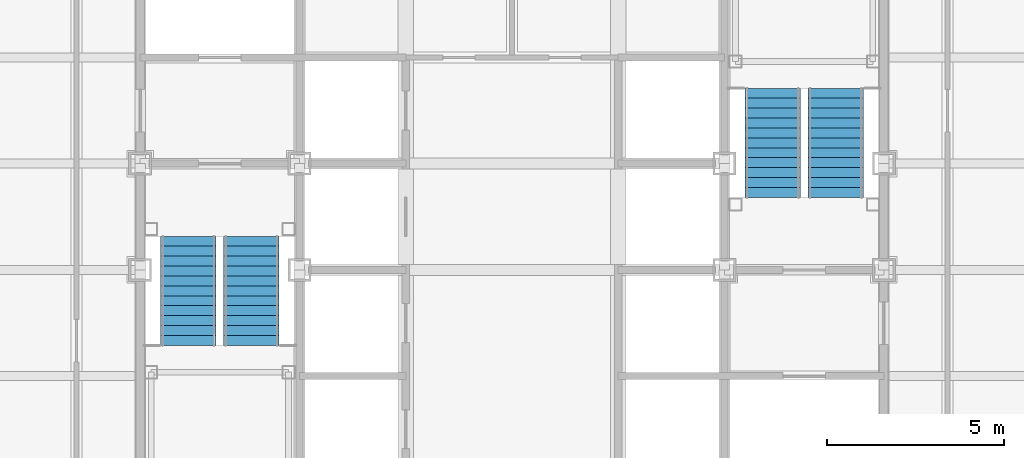
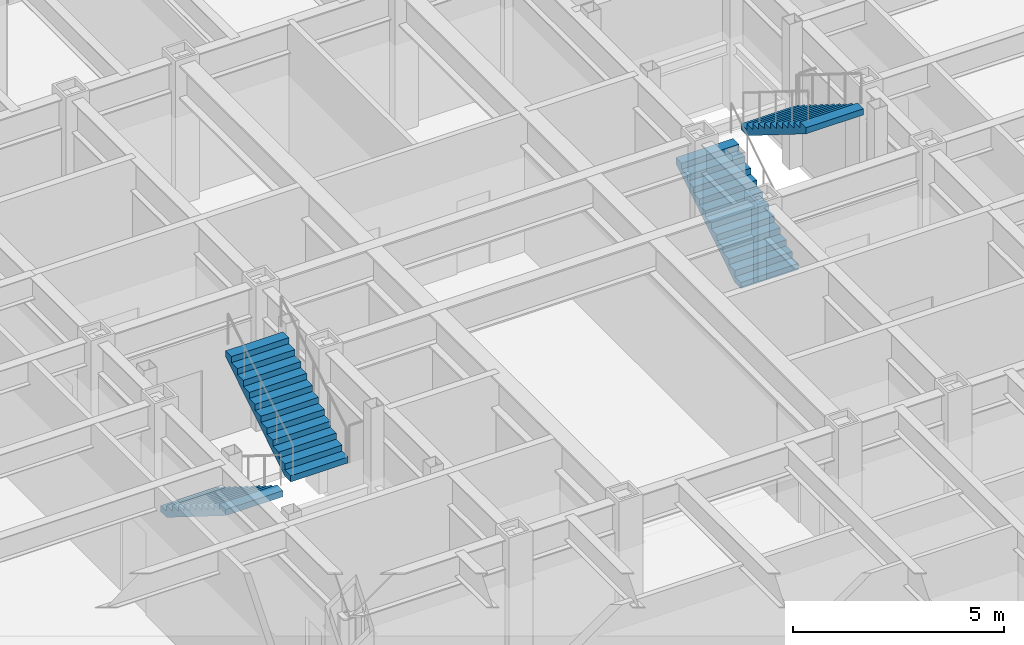
# One storey, part 13 of 16: 4 stair flights, 2 elements without a shape of their own.
"""IFC4 building model written with IfcOpenShell, lengths in metres."""

from ifc_helpers import new_model, si_unit, direction, frame, origin, place, context, subcontext, project, spatial, faceted_brep, material, type_object, element, aggregate, save


model = new_model("IFC4")

# Units and contexts
model_context = context("Model", 3, precision=1e-05, world=origin(), true_north=direction((0.0, 1.0)))
body_context = subcontext(model_context, "Body", "Model", "MODEL_VIEW")
ifc_project = project(units=[si_unit("LENGTHUNIT", "METRE"), si_unit("AREAUNIT", "SQUARE_METRE"), si_unit("VOLUMEUNIT", "CUBIC_METRE"), si_unit("PLANEANGLEUNIT", "RADIAN"), si_unit("MASSUNIT", "GRAM", prefix="KILO")], contexts=[model_context])

# Site, building, storey
site_placement = place(None, origin())
site = spatial("IfcSite", under=ifc_project, at=site_placement, CompositionType="ELEMENT")
building_placement = place(site_placement, origin())
building = spatial("IfcBuilding", under=site, at=building_placement, Name="Chuquiago Exchange Tower", CompositionType="ELEMENT")
storey_placement = place(building_placement, frame((0.0, 0.0, 161.39990234375)))
storey = spatial("IfcBuildingStorey", under=building, at=storey_placement, Name="L35", CompositionType="ELEMENT", Elevation=161.39990234375)

# Stair, stair flights
ifc_material_1 = material(Name="Concrete C30/37, precast", Category="concrete")
stair_type_1 = type_object("IfcStairType", Name="ST1 half-turn stair 4200", PredefinedType="HALF_TURN_STAIR", material=ifc_material_1)
stair_1_placement = place(storey_placement, origin())
stair_1 = element("IfcStair", 1, at=stair_1_placement, inside=storey, type_object=stair_type_1, Name="Stair ST1 L35", PredefinedType="HALF_TURN_STAIR")
ifc_material_2 = material(Name="Concrete C30/37, precast", Category="concrete")
stair_flight_type = type_object("IfcStairFlightType", Name="ST-F flight 1570 for 4200 storey", PredefinedType="STRAIGHT", material=ifc_material_2)
stair_flight_1_placement = place(storey_placement, frame((13.360107421875, 21.949951171875, 0.0), z_axis=(0.0, 0.0, 1.0), x_axis=(0.0, -1.0, 0.0)))
stair_flight_1 = element("IfcStairFlight", 2, at=stair_flight_1_placement, type_object=stair_flight_type, Name="ST1 flight 1", NumberOfRisers=12, NumberOfTreads=11, PredefinedType="STRAIGHT", RiserHeight=0.175, TreadLength=0.28, context=body_context, shape_type="Brep", body=[
    faceted_brep([(0.0, 0.78515625, 0.0), (0.0, 0.78515625, 0.175048828125), (0.280029296875, 0.78515625, 0.175048828125), (0.280029296875, 0.78515625, 0.35009765625), (0.56005859375, 0.78515625, 0.35009765625), (0.56005859375, 0.78515625, 0.52490234375), (0.840087890625, 0.78515625, 0.52490234375), (0.840087890625, 0.78515625, 0.699951171875), (1.1201171875, 0.78515625, 0.699951171875), (1.1201171875, 0.78515625, 0.875), (1.39990234375, 0.78515625, 0.875), (1.39990234375, 0.78515625, 1.050048828125), (1.679931640625, 0.78515625, 1.050048828125), (1.679931640625, 0.78515625, 1.22509765625), (1.9599609375, 0.78515625, 1.22509765625), (1.9599609375, 0.78515625, 1.39990234375), (2.239990234375, 0.78515625, 1.39990234375), (2.239990234375, 0.78515625, 1.574951171875), (2.52001953125, 0.78515625, 1.574951171875), (2.52001953125, 0.78515625, 1.75), (2.800048828125, 0.78515625, 1.75), (2.800048828125, 0.78515625, 1.925048828125), (3.080078125, 0.78515625, 1.925048828125), (3.080078125, 0.78515625, 1.748291015625), (0.28271484375, 0.78515625, 0.0), (0.28271484375, -0.78515625, 0.0), (3.080078125, -0.78515625, 1.748291015625), (3.080078125, -0.78515625, 1.925048828125), (2.800048828125, -0.78515625, 1.925048828125), (2.800048828125, -0.78515625, 1.75), (2.52001953125, -0.78515625, 1.75), (2.52001953125, -0.78515625, 1.574951171875), (2.239990234375, -0.78515625, 1.574951171875), (2.239990234375, -0.78515625, 1.39990234375), (1.9599609375, -0.78515625, 1.39990234375), (1.9599609375, -0.78515625, 1.22509765625), (1.679931640625, -0.78515625, 1.22509765625), (1.679931640625, -0.78515625, 1.050048828125), (1.39990234375, -0.78515625, 1.050048828125), (1.39990234375, -0.78515625, 0.875), (1.1201171875, -0.78515625, 0.875), (1.1201171875, -0.78515625, 0.699951171875), (0.840087890625, -0.78515625, 0.699951171875), (0.840087890625, -0.78515625, 0.52490234375), (0.56005859375, -0.78515625, 0.52490234375), (0.56005859375, -0.78515625, 0.35009765625), (0.280029296875, -0.78515625, 0.35009765625), (0.280029296875, -0.78515625, 0.175048828125), (0.0, -0.78515625, 0.175048828125), (0.0, -0.78515625, 0.0), (0.0, 0.392578125, 0.0), (0.0, 0.392578125, 0.175048828125), (0.0, 0.0, 0.0), (0.0, 0.0, 0.175048828125), (0.0, -0.392578125, 0.0), (0.0, -0.392578125, 0.175048828125), (0.280029296875, 0.392578125, 0.175048828125), (0.280029296875, 0.0, 0.175048828125), (0.280029296875, -0.392578125, 0.175048828125), (0.280029296875, 0.392578125, 0.35009765625), (0.280029296875, 0.0, 0.35009765625), (0.280029296875, -0.392578125, 0.35009765625), (0.56005859375, 0.392578125, 0.35009765625), (0.56005859375, 0.0, 0.35009765625), (0.56005859375, -0.392578125, 0.35009765625), (0.56005859375, 0.392578125, 0.52490234375), (0.56005859375, 0.0, 0.52490234375), (0.56005859375, -0.392578125, 0.52490234375), (0.840087890625, 0.392578125, 0.52490234375), (0.840087890625, 0.0, 0.52490234375), (0.840087890625, -0.392578125, 0.52490234375), (0.840087890625, 0.392578125, 0.699951171875), (0.840087890625, 0.0, 0.699951171875), (0.840087890625, -0.392578125, 0.699951171875), (1.1201171875, 0.392578125, 0.699951171875), (1.1201171875, 0.0, 0.699951171875), (1.1201171875, -0.392578125, 0.699951171875), (1.1201171875, 0.392578125, 0.875), (1.1201171875, 0.0, 0.875), (1.1201171875, -0.392578125, 0.875), (1.39990234375, 0.392578125, 0.875), (1.39990234375, 0.0, 0.875), (1.39990234375, -0.392578125, 0.875), (1.39990234375, 0.392578125, 1.050048828125), (1.39990234375, 0.0, 1.050048828125), (1.39990234375, -0.392578125, 1.050048828125), (1.679931640625, 0.392578125, 1.050048828125), (1.679931640625, 0.0, 1.050048828125), (1.679931640625, -0.392578125, 1.050048828125), (1.679931640625, 0.392578125, 1.22509765625), (1.679931640625, 0.0, 1.22509765625), (1.679931640625, -0.392578125, 1.22509765625), (1.9599609375, 0.392578125, 1.22509765625), (1.9599609375, 0.0, 1.22509765625), (1.9599609375, -0.392578125, 1.22509765625), (1.9599609375, 0.392578125, 1.39990234375), (1.9599609375, 0.0, 1.39990234375), (1.9599609375, -0.392578125, 1.39990234375), (2.239990234375, 0.392578125, 1.39990234375), (2.239990234375, 0.0, 1.39990234375), (2.239990234375, -0.392578125, 1.39990234375), (2.239990234375, 0.392578125, 1.574951171875), (2.239990234375, 0.0, 1.574951171875), (2.239990234375, -0.392578125, 1.574951171875), (2.52001953125, 0.392578125, 1.574951171875), (2.52001953125, 0.0, 1.574951171875), (2.52001953125, -0.392578125, 1.574951171875), (2.52001953125, 0.392578125, 1.75), (2.52001953125, 0.0, 1.75), (2.52001953125, -0.392578125, 1.75), (2.800048828125, 0.392578125, 1.75), (2.800048828125, 0.0, 1.75), (2.800048828125, -0.392578125, 1.75), (2.800048828125, 0.392578125, 1.925048828125), (2.800048828125, 0.0, 1.925048828125), (2.800048828125, -0.392578125, 1.925048828125), (3.080078125, 0.392578125, 1.925048828125), (3.080078125, 0.0, 1.925048828125), (3.080078125, -0.392578125, 1.925048828125), (3.080078125, 0.392578125, 1.748291015625), (3.080078125, 0.0, 1.748291015625), (3.080078125, -0.392578125, 1.748291015625), (0.28271484375, 0.392578125, 0.0), (0.28271484375, 0.0, 0.0), (0.28271484375, -0.392578125, 0.0)], [[[0, 1, 2, 3, 4, 5, 6, 7, 8, 9, 10, 11, 12, 13, 14, 15, 16, 17, 18, 19, 20, 21, 22, 23, 24]], [[25, 26, 27, 28, 29, 30, 31, 32, 33, 34, 35, 36, 37, 38, 39, 40, 41, 42, 43, 44, 45, 46, 47, 48, 49]], [[1, 0, 50, 51]], [[51, 50, 52, 53]], [[53, 52, 54, 55]], [[55, 54, 49, 48]], [[2, 1, 51, 56]], [[56, 51, 53, 57]], [[57, 53, 55, 58]], [[58, 55, 48, 47]], [[3, 2, 56, 59]], [[59, 56, 57, 60]], [[60, 57, 58, 61]], [[61, 58, 47, 46]], [[4, 3, 59, 62]], [[62, 59, 60, 63]], [[63, 60, 61, 64]], [[64, 61, 46, 45]], [[5, 4, 62, 65]], [[65, 62, 63, 66]], [[66, 63, 64, 67]], [[67, 64, 45, 44]], [[6, 5, 65, 68]], [[68, 65, 66, 69]], [[69, 66, 67, 70]], [[70, 67, 44, 43]], [[7, 6, 68, 71]], [[71, 68, 69, 72]], [[72, 69, 70, 73]], [[73, 70, 43, 42]], [[8, 7, 71, 74]], [[74, 71, 72, 75]], [[75, 72, 73, 76]], [[76, 73, 42, 41]], [[9, 8, 74, 77]], [[77, 74, 75, 78]], [[78, 75, 76, 79]], [[79, 76, 41, 40]], [[10, 9, 77, 80]], [[80, 77, 78, 81]], [[81, 78, 79, 82]], [[82, 79, 40, 39]], [[11, 10, 80, 83]], [[83, 80, 81, 84]], [[84, 81, 82, 85]], [[85, 82, 39, 38]], [[12, 11, 83, 86]], [[86, 83, 84, 87]], [[87, 84, 85, 88]], [[88, 85, 38, 37]], [[13, 12, 86, 89]], [[89, 86, 87, 90]], [[90, 87, 88, 91]], [[91, 88, 37, 36]], [[14, 13, 89, 92]], [[92, 89, 90, 93]], [[93, 90, 91, 94]], [[94, 91, 36, 35]], [[15, 14, 92, 95]], [[95, 92, 93, 96]], [[96, 93, 94, 97]], [[97, 94, 35, 34]], [[16, 15, 95, 98]], [[98, 95, 96, 99]], [[99, 96, 97, 100]], [[100, 97, 34, 33]], [[17, 16, 98, 101]], [[101, 98, 99, 102]], [[102, 99, 100, 103]], [[103, 100, 33, 32]], [[18, 17, 101, 104]], [[104, 101, 102, 105]], [[105, 102, 103, 106]], [[106, 103, 32, 31]], [[19, 18, 104, 107]], [[107, 104, 105, 108]], [[108, 105, 106, 109]], [[109, 106, 31, 30]], [[20, 19, 107, 110]], [[110, 107, 108, 111]], [[111, 108, 109, 112]], [[112, 109, 30, 29]], [[21, 20, 110, 113]], [[113, 110, 111, 114]], [[114, 111, 112, 115]], [[115, 112, 29, 28]], [[22, 21, 113, 116]], [[116, 113, 114, 117]], [[117, 114, 115, 118]], [[118, 115, 28, 27]], [[23, 22, 116, 119]], [[119, 116, 117, 120]], [[120, 117, 118, 121]], [[121, 118, 27, 26]], [[24, 23, 119, 122]], [[122, 119, 120, 123]], [[123, 120, 121, 124]], [[124, 121, 26, 25]], [[0, 24, 122, 50]], [[50, 122, 123, 52]], [[52, 123, 124, 54]], [[54, 124, 25, 49]]]),
])
stair_flight_2_placement = place(storey_placement, frame((15.139892578125, 18.8701171875, 2.10009765625), z_axis=(0.0, 0.0, 1.0), x_axis=(0.0, 1.0, 0.0)))
stair_flight_2 = element("IfcStairFlight", 3, at=stair_flight_2_placement, type_object=stair_flight_type, Name="ST1 flight 2", NumberOfRisers=12, NumberOfTreads=11, PredefinedType="STRAIGHT", RiserHeight=0.175, TreadLength=0.28, context=body_context, shape_type="Brep", body=[
    faceted_brep([(0.0, 0.78515625, 0.0), (0.0, 0.78515625, 0.175048828125), (0.280029296875, 0.78515625, 0.175048828125), (0.280029296875, 0.78515625, 0.35009765625), (0.56005859375, 0.78515625, 0.35009765625), (0.56005859375, 0.78515625, 0.52490234375), (0.840087890625, 0.78515625, 0.52490234375), (0.840087890625, 0.78515625, 0.699951171875), (1.1201171875, 0.78515625, 0.699951171875), (1.1201171875, 0.78515625, 0.875), (1.39990234375, 0.78515625, 0.875), (1.39990234375, 0.78515625, 1.050048828125), (1.679931640625, 0.78515625, 1.050048828125), (1.679931640625, 0.78515625, 1.22509765625), (1.9599609375, 0.78515625, 1.22509765625), (1.9599609375, 0.78515625, 1.39990234375), (2.239990234375, 0.78515625, 1.39990234375), (2.239990234375, 0.78515625, 1.574951171875), (2.52001953125, 0.78515625, 1.574951171875), (2.52001953125, 0.78515625, 1.75), (2.800048828125, 0.78515625, 1.75), (2.800048828125, 0.78515625, 1.925048828125), (3.080078125, 0.78515625, 1.925048828125), (3.080078125, 0.78515625, 1.748291015625), (0.28271484375, 0.78515625, 0.0), (0.28271484375, -0.78515625, 0.0), (3.080078125, -0.78515625, 1.748291015625), (3.080078125, -0.78515625, 1.925048828125), (2.800048828125, -0.78515625, 1.925048828125), (2.800048828125, -0.78515625, 1.75), (2.52001953125, -0.78515625, 1.75), (2.52001953125, -0.78515625, 1.574951171875), (2.239990234375, -0.78515625, 1.574951171875), (2.239990234375, -0.78515625, 1.39990234375), (1.9599609375, -0.78515625, 1.39990234375), (1.9599609375, -0.78515625, 1.22509765625), (1.679931640625, -0.78515625, 1.22509765625), (1.679931640625, -0.78515625, 1.050048828125), (1.39990234375, -0.78515625, 1.050048828125), (1.39990234375, -0.78515625, 0.875), (1.1201171875, -0.78515625, 0.875), (1.1201171875, -0.78515625, 0.699951171875), (0.840087890625, -0.78515625, 0.699951171875), (0.840087890625, -0.78515625, 0.52490234375), (0.56005859375, -0.78515625, 0.52490234375), (0.56005859375, -0.78515625, 0.35009765625), (0.280029296875, -0.78515625, 0.35009765625), (0.280029296875, -0.78515625, 0.175048828125), (0.0, -0.78515625, 0.175048828125), (0.0, -0.78515625, 0.0), (0.0, 0.392578125, 0.0), (0.0, 0.392578125, 0.175048828125), (0.0, 0.0, 0.0), (0.0, 0.0, 0.175048828125), (0.0, -0.392578125, 0.0), (0.0, -0.392578125, 0.175048828125), (0.280029296875, 0.392578125, 0.175048828125), (0.280029296875, 0.0, 0.175048828125), (0.280029296875, -0.392578125, 0.175048828125), (0.280029296875, 0.392578125, 0.35009765625), (0.280029296875, 0.0, 0.35009765625), (0.280029296875, -0.392578125, 0.35009765625), (0.56005859375, 0.392578125, 0.35009765625), (0.56005859375, 0.0, 0.35009765625), (0.56005859375, -0.392578125, 0.35009765625), (0.56005859375, 0.392578125, 0.52490234375), (0.56005859375, 0.0, 0.52490234375), (0.56005859375, -0.392578125, 0.52490234375), (0.840087890625, 0.392578125, 0.52490234375), (0.840087890625, 0.0, 0.52490234375), (0.840087890625, -0.392578125, 0.52490234375), (0.840087890625, 0.392578125, 0.699951171875), (0.840087890625, 0.0, 0.699951171875), (0.840087890625, -0.392578125, 0.699951171875), (1.1201171875, 0.392578125, 0.699951171875), (1.1201171875, 0.0, 0.699951171875), (1.1201171875, -0.392578125, 0.699951171875), (1.1201171875, 0.392578125, 0.875), (1.1201171875, 0.0, 0.875), (1.1201171875, -0.392578125, 0.875), (1.39990234375, 0.392578125, 0.875), (1.39990234375, 0.0, 0.875), (1.39990234375, -0.392578125, 0.875), (1.39990234375, 0.392578125, 1.050048828125), (1.39990234375, 0.0, 1.050048828125), (1.39990234375, -0.392578125, 1.050048828125), (1.679931640625, 0.392578125, 1.050048828125), (1.679931640625, 0.0, 1.050048828125), (1.679931640625, -0.392578125, 1.050048828125), (1.679931640625, 0.392578125, 1.22509765625), (1.679931640625, 0.0, 1.22509765625), (1.679931640625, -0.392578125, 1.22509765625), (1.9599609375, 0.392578125, 1.22509765625), (1.9599609375, 0.0, 1.22509765625), (1.9599609375, -0.392578125, 1.22509765625), (1.9599609375, 0.392578125, 1.39990234375), (1.9599609375, 0.0, 1.39990234375), (1.9599609375, -0.392578125, 1.39990234375), (2.239990234375, 0.392578125, 1.39990234375), (2.239990234375, 0.0, 1.39990234375), (2.239990234375, -0.392578125, 1.39990234375), (2.239990234375, 0.392578125, 1.574951171875), (2.239990234375, 0.0, 1.574951171875), (2.239990234375, -0.392578125, 1.574951171875), (2.52001953125, 0.392578125, 1.574951171875), (2.52001953125, 0.0, 1.574951171875), (2.52001953125, -0.392578125, 1.574951171875), (2.52001953125, 0.392578125, 1.75), (2.52001953125, 0.0, 1.75), (2.52001953125, -0.392578125, 1.75), (2.800048828125, 0.392578125, 1.75), (2.800048828125, 0.0, 1.75), (2.800048828125, -0.392578125, 1.75), (2.800048828125, 0.392578125, 1.925048828125), (2.800048828125, 0.0, 1.925048828125), (2.800048828125, -0.392578125, 1.925048828125), (3.080078125, 0.392578125, 1.925048828125), (3.080078125, 0.0, 1.925048828125), (3.080078125, -0.392578125, 1.925048828125), (3.080078125, 0.392578125, 1.748291015625), (3.080078125, 0.0, 1.748291015625), (3.080078125, -0.392578125, 1.748291015625), (0.28271484375, 0.392578125, 0.0), (0.28271484375, 0.0, 0.0), (0.28271484375, -0.392578125, 0.0)], [[[0, 1, 2, 3, 4, 5, 6, 7, 8, 9, 10, 11, 12, 13, 14, 15, 16, 17, 18, 19, 20, 21, 22, 23, 24]], [[25, 26, 27, 28, 29, 30, 31, 32, 33, 34, 35, 36, 37, 38, 39, 40, 41, 42, 43, 44, 45, 46, 47, 48, 49]], [[1, 0, 50, 51]], [[51, 50, 52, 53]], [[53, 52, 54, 55]], [[55, 54, 49, 48]], [[2, 1, 51, 56]], [[56, 51, 53, 57]], [[57, 53, 55, 58]], [[58, 55, 48, 47]], [[3, 2, 56, 59]], [[59, 56, 57, 60]], [[60, 57, 58, 61]], [[61, 58, 47, 46]], [[4, 3, 59, 62]], [[62, 59, 60, 63]], [[63, 60, 61, 64]], [[64, 61, 46, 45]], [[5, 4, 62, 65]], [[65, 62, 63, 66]], [[66, 63, 64, 67]], [[67, 64, 45, 44]], [[6, 5, 65, 68]], [[68, 65, 66, 69]], [[69, 66, 67, 70]], [[70, 67, 44, 43]], [[7, 6, 68, 71]], [[71, 68, 69, 72]], [[72, 69, 70, 73]], [[73, 70, 43, 42]], [[8, 7, 71, 74]], [[74, 71, 72, 75]], [[75, 72, 73, 76]], [[76, 73, 42, 41]], [[9, 8, 74, 77]], [[77, 74, 75, 78]], [[78, 75, 76, 79]], [[79, 76, 41, 40]], [[10, 9, 77, 80]], [[80, 77, 78, 81]], [[81, 78, 79, 82]], [[82, 79, 40, 39]], [[11, 10, 80, 83]], [[83, 80, 81, 84]], [[84, 81, 82, 85]], [[85, 82, 39, 38]], [[12, 11, 83, 86]], [[86, 83, 84, 87]], [[87, 84, 85, 88]], [[88, 85, 38, 37]], [[13, 12, 86, 89]], [[89, 86, 87, 90]], [[90, 87, 88, 91]], [[91, 88, 37, 36]], [[14, 13, 89, 92]], [[92, 89, 90, 93]], [[93, 90, 91, 94]], [[94, 91, 36, 35]], [[15, 14, 92, 95]], [[95, 92, 93, 96]], [[96, 93, 94, 97]], [[97, 94, 35, 34]], [[16, 15, 95, 98]], [[98, 95, 96, 99]], [[99, 96, 97, 100]], [[100, 97, 34, 33]], [[17, 16, 98, 101]], [[101, 98, 99, 102]], [[102, 99, 100, 103]], [[103, 100, 33, 32]], [[18, 17, 101, 104]], [[104, 101, 102, 105]], [[105, 102, 103, 106]], [[106, 103, 32, 31]], [[19, 18, 104, 107]], [[107, 104, 105, 108]], [[108, 105, 106, 109]], [[109, 106, 31, 30]], [[20, 19, 107, 110]], [[110, 107, 108, 111]], [[111, 108, 109, 112]], [[112, 109, 30, 29]], [[21, 20, 110, 113]], [[113, 110, 111, 114]], [[114, 111, 112, 115]], [[115, 112, 29, 28]], [[22, 21, 113, 116]], [[116, 113, 114, 117]], [[117, 114, 115, 118]], [[118, 115, 28, 27]], [[23, 22, 116, 119]], [[119, 116, 117, 120]], [[120, 117, 118, 121]], [[121, 118, 27, 26]], [[24, 23, 119, 122]], [[122, 119, 120, 123]], [[123, 120, 121, 124]], [[124, 121, 26, 25]], [[0, 24, 122, 50]], [[50, 122, 123, 52]], [[52, 123, 124, 54]], [[54, 124, 25, 49]]]),
])
aggregate(stair_1, [stair_flight_1, stair_flight_2])

ifc_material_3 = material(Name="Concrete C30/37, precast", Category="concrete")
stair_type_2 = type_object("IfcStairType", Name="ST2 half-turn stair 4200", PredefinedType="HALF_TURN_STAIR", material=ifc_material_3)
stair_2_placement = place(storey_placement, origin())
stair_2 = element("IfcStair", 4, at=stair_2_placement, inside=storey, type_object=stair_type_2, Name="Stair ST2 L35", PredefinedType="HALF_TURN_STAIR")
stair_flight_3_placement = place(storey_placement, frame((29.860107421875, 23.050048828125, 0.0), z_axis=(0.0, 0.0, 1.0), x_axis=(0.0, 1.0, 0.0)))
stair_flight_3 = element("IfcStairFlight", 5, at=stair_flight_3_placement, type_object=stair_flight_type, Name="ST2 flight 1", NumberOfRisers=12, NumberOfTreads=11, PredefinedType="STRAIGHT", RiserHeight=0.175, TreadLength=0.28, context=body_context, shape_type="Brep", body=[
    faceted_brep([(0.0, 0.78515625, 0.0), (0.0, 0.78515625, 0.175048828125), (0.280029296875, 0.78515625, 0.175048828125), (0.280029296875, 0.78515625, 0.35009765625), (0.56005859375, 0.78515625, 0.35009765625), (0.56005859375, 0.78515625, 0.52490234375), (0.840087890625, 0.78515625, 0.52490234375), (0.840087890625, 0.78515625, 0.699951171875), (1.1201171875, 0.78515625, 0.699951171875), (1.1201171875, 0.78515625, 0.875), (1.39990234375, 0.78515625, 0.875), (1.39990234375, 0.78515625, 1.050048828125), (1.679931640625, 0.78515625, 1.050048828125), (1.679931640625, 0.78515625, 1.22509765625), (1.9599609375, 0.78515625, 1.22509765625), (1.9599609375, 0.78515625, 1.39990234375), (2.239990234375, 0.78515625, 1.39990234375), (2.239990234375, 0.78515625, 1.574951171875), (2.52001953125, 0.78515625, 1.574951171875), (2.52001953125, 0.78515625, 1.75), (2.800048828125, 0.78515625, 1.75), (2.800048828125, 0.78515625, 1.925048828125), (3.080078125, 0.78515625, 1.925048828125), (3.080078125, 0.78515625, 1.748291015625), (0.28271484375, 0.78515625, 0.0), (0.28271484375, -0.78515625, 0.0), (3.080078125, -0.78515625, 1.748291015625), (3.080078125, -0.78515625, 1.925048828125), (2.800048828125, -0.78515625, 1.925048828125), (2.800048828125, -0.78515625, 1.75), (2.52001953125, -0.78515625, 1.75), (2.52001953125, -0.78515625, 1.574951171875), (2.239990234375, -0.78515625, 1.574951171875), (2.239990234375, -0.78515625, 1.39990234375), (1.9599609375, -0.78515625, 1.39990234375), (1.9599609375, -0.78515625, 1.22509765625), (1.679931640625, -0.78515625, 1.22509765625), (1.679931640625, -0.78515625, 1.050048828125), (1.39990234375, -0.78515625, 1.050048828125), (1.39990234375, -0.78515625, 0.875), (1.1201171875, -0.78515625, 0.875), (1.1201171875, -0.78515625, 0.699951171875), (0.840087890625, -0.78515625, 0.699951171875), (0.840087890625, -0.78515625, 0.52490234375), (0.56005859375, -0.78515625, 0.52490234375), (0.56005859375, -0.78515625, 0.35009765625), (0.280029296875, -0.78515625, 0.35009765625), (0.280029296875, -0.78515625, 0.175048828125), (0.0, -0.78515625, 0.175048828125), (0.0, -0.78515625, 0.0), (0.0, 0.392578125, 0.0), (0.0, 0.392578125, 0.175048828125), (0.0, 0.0, 0.0), (0.0, 0.0, 0.175048828125), (0.0, -0.392578125, 0.0), (0.0, -0.392578125, 0.175048828125), (0.280029296875, 0.392578125, 0.175048828125), (0.280029296875, 0.0, 0.175048828125), (0.280029296875, -0.392578125, 0.175048828125), (0.280029296875, 0.392578125, 0.35009765625), (0.280029296875, 0.0, 0.35009765625), (0.280029296875, -0.392578125, 0.35009765625), (0.56005859375, 0.392578125, 0.35009765625), (0.56005859375, 0.0, 0.35009765625), (0.56005859375, -0.392578125, 0.35009765625), (0.56005859375, 0.392578125, 0.52490234375), (0.56005859375, 0.0, 0.52490234375), (0.56005859375, -0.392578125, 0.52490234375), (0.840087890625, 0.392578125, 0.52490234375), (0.840087890625, 0.0, 0.52490234375), (0.840087890625, -0.392578125, 0.52490234375), (0.840087890625, 0.392578125, 0.699951171875), (0.840087890625, 0.0, 0.699951171875), (0.840087890625, -0.392578125, 0.699951171875), (1.1201171875, 0.392578125, 0.699951171875), (1.1201171875, 0.0, 0.699951171875), (1.1201171875, -0.392578125, 0.699951171875), (1.1201171875, 0.392578125, 0.875), (1.1201171875, 0.0, 0.875), (1.1201171875, -0.392578125, 0.875), (1.39990234375, 0.392578125, 0.875), (1.39990234375, 0.0, 0.875), (1.39990234375, -0.392578125, 0.875), (1.39990234375, 0.392578125, 1.050048828125), (1.39990234375, 0.0, 1.050048828125), (1.39990234375, -0.392578125, 1.050048828125), (1.679931640625, 0.392578125, 1.050048828125), (1.679931640625, 0.0, 1.050048828125), (1.679931640625, -0.392578125, 1.050048828125), (1.679931640625, 0.392578125, 1.22509765625), (1.679931640625, 0.0, 1.22509765625), (1.679931640625, -0.392578125, 1.22509765625), (1.9599609375, 0.392578125, 1.22509765625), (1.9599609375, 0.0, 1.22509765625), (1.9599609375, -0.392578125, 1.22509765625), (1.9599609375, 0.392578125, 1.39990234375), (1.9599609375, 0.0, 1.39990234375), (1.9599609375, -0.392578125, 1.39990234375), (2.239990234375, 0.392578125, 1.39990234375), (2.239990234375, 0.0, 1.39990234375), (2.239990234375, -0.392578125, 1.39990234375), (2.239990234375, 0.392578125, 1.574951171875), (2.239990234375, 0.0, 1.574951171875), (2.239990234375, -0.392578125, 1.574951171875), (2.52001953125, 0.392578125, 1.574951171875), (2.52001953125, 0.0, 1.574951171875), (2.52001953125, -0.392578125, 1.574951171875), (2.52001953125, 0.392578125, 1.75), (2.52001953125, 0.0, 1.75), (2.52001953125, -0.392578125, 1.75), (2.800048828125, 0.392578125, 1.75), (2.800048828125, 0.0, 1.75), (2.800048828125, -0.392578125, 1.75), (2.800048828125, 0.392578125, 1.925048828125), (2.800048828125, 0.0, 1.925048828125), (2.800048828125, -0.392578125, 1.925048828125), (3.080078125, 0.392578125, 1.925048828125), (3.080078125, 0.0, 1.925048828125), (3.080078125, -0.392578125, 1.925048828125), (3.080078125, 0.392578125, 1.748291015625), (3.080078125, 0.0, 1.748291015625), (3.080078125, -0.392578125, 1.748291015625), (0.28271484375, 0.392578125, 0.0), (0.28271484375, 0.0, 0.0), (0.28271484375, -0.392578125, 0.0)], [[[0, 1, 2, 3, 4, 5, 6, 7, 8, 9, 10, 11, 12, 13, 14, 15, 16, 17, 18, 19, 20, 21, 22, 23, 24]], [[25, 26, 27, 28, 29, 30, 31, 32, 33, 34, 35, 36, 37, 38, 39, 40, 41, 42, 43, 44, 45, 46, 47, 48, 49]], [[1, 0, 50, 51]], [[51, 50, 52, 53]], [[53, 52, 54, 55]], [[55, 54, 49, 48]], [[2, 1, 51, 56]], [[56, 51, 53, 57]], [[57, 53, 55, 58]], [[58, 55, 48, 47]], [[3, 2, 56, 59]], [[59, 56, 57, 60]], [[60, 57, 58, 61]], [[61, 58, 47, 46]], [[4, 3, 59, 62]], [[62, 59, 60, 63]], [[63, 60, 61, 64]], [[64, 61, 46, 45]], [[5, 4, 62, 65]], [[65, 62, 63, 66]], [[66, 63, 64, 67]], [[67, 64, 45, 44]], [[6, 5, 65, 68]], [[68, 65, 66, 69]], [[69, 66, 67, 70]], [[70, 67, 44, 43]], [[7, 6, 68, 71]], [[71, 68, 69, 72]], [[72, 69, 70, 73]], [[73, 70, 43, 42]], [[8, 7, 71, 74]], [[74, 71, 72, 75]], [[75, 72, 73, 76]], [[76, 73, 42, 41]], [[9, 8, 74, 77]], [[77, 74, 75, 78]], [[78, 75, 76, 79]], [[79, 76, 41, 40]], [[10, 9, 77, 80]], [[80, 77, 78, 81]], [[81, 78, 79, 82]], [[82, 79, 40, 39]], [[11, 10, 80, 83]], [[83, 80, 81, 84]], [[84, 81, 82, 85]], [[85, 82, 39, 38]], [[12, 11, 83, 86]], [[86, 83, 84, 87]], [[87, 84, 85, 88]], [[88, 85, 38, 37]], [[13, 12, 86, 89]], [[89, 86, 87, 90]], [[90, 87, 88, 91]], [[91, 88, 37, 36]], [[14, 13, 89, 92]], [[92, 89, 90, 93]], [[93, 90, 91, 94]], [[94, 91, 36, 35]], [[15, 14, 92, 95]], [[95, 92, 93, 96]], [[96, 93, 94, 97]], [[97, 94, 35, 34]], [[16, 15, 95, 98]], [[98, 95, 96, 99]], [[99, 96, 97, 100]], [[100, 97, 34, 33]], [[17, 16, 98, 101]], [[101, 98, 99, 102]], [[102, 99, 100, 103]], [[103, 100, 33, 32]], [[18, 17, 101, 104]], [[104, 101, 102, 105]], [[105, 102, 103, 106]], [[106, 103, 32, 31]], [[19, 18, 104, 107]], [[107, 104, 105, 108]], [[108, 105, 106, 109]], [[109, 106, 31, 30]], [[20, 19, 107, 110]], [[110, 107, 108, 111]], [[111, 108, 109, 112]], [[112, 109, 30, 29]], [[21, 20, 110, 113]], [[113, 110, 111, 114]], [[114, 111, 112, 115]], [[115, 112, 29, 28]], [[22, 21, 113, 116]], [[116, 113, 114, 117]], [[117, 114, 115, 118]], [[118, 115, 28, 27]], [[23, 22, 116, 119]], [[119, 116, 117, 120]], [[120, 117, 118, 121]], [[121, 118, 27, 26]], [[24, 23, 119, 122]], [[122, 119, 120, 123]], [[123, 120, 121, 124]], [[124, 121, 26, 25]], [[0, 24, 122, 50]], [[50, 122, 123, 52]], [[52, 123, 124, 54]], [[54, 124, 25, 49]]]),
])
stair_flight_4_placement = place(storey_placement, frame((31.639892578125, 26.1298828125, 2.10009765625), z_axis=(0.0, 0.0, 1.0), x_axis=(0.0, -1.0, 0.0)))
stair_flight_4 = element("IfcStairFlight", 6, at=stair_flight_4_placement, type_object=stair_flight_type, Name="ST2 flight 2", NumberOfRisers=12, NumberOfTreads=11, PredefinedType="STRAIGHT", RiserHeight=0.175, TreadLength=0.28, context=body_context, shape_type="Brep", body=[
    faceted_brep([(0.0, 0.78515625, 0.0), (0.0, 0.78515625, 0.175048828125), (0.280029296875, 0.78515625, 0.175048828125), (0.280029296875, 0.78515625, 0.35009765625), (0.56005859375, 0.78515625, 0.35009765625), (0.56005859375, 0.78515625, 0.52490234375), (0.840087890625, 0.78515625, 0.52490234375), (0.840087890625, 0.78515625, 0.699951171875), (1.1201171875, 0.78515625, 0.699951171875), (1.1201171875, 0.78515625, 0.875), (1.39990234375, 0.78515625, 0.875), (1.39990234375, 0.78515625, 1.050048828125), (1.679931640625, 0.78515625, 1.050048828125), (1.679931640625, 0.78515625, 1.22509765625), (1.9599609375, 0.78515625, 1.22509765625), (1.9599609375, 0.78515625, 1.39990234375), (2.239990234375, 0.78515625, 1.39990234375), (2.239990234375, 0.78515625, 1.574951171875), (2.52001953125, 0.78515625, 1.574951171875), (2.52001953125, 0.78515625, 1.75), (2.800048828125, 0.78515625, 1.75), (2.800048828125, 0.78515625, 1.925048828125), (3.080078125, 0.78515625, 1.925048828125), (3.080078125, 0.78515625, 1.748291015625), (0.28271484375, 0.78515625, 0.0), (0.28271484375, -0.78515625, 0.0), (3.080078125, -0.78515625, 1.748291015625), (3.080078125, -0.78515625, 1.925048828125), (2.800048828125, -0.78515625, 1.925048828125), (2.800048828125, -0.78515625, 1.75), (2.52001953125, -0.78515625, 1.75), (2.52001953125, -0.78515625, 1.574951171875), (2.239990234375, -0.78515625, 1.574951171875), (2.239990234375, -0.78515625, 1.39990234375), (1.9599609375, -0.78515625, 1.39990234375), (1.9599609375, -0.78515625, 1.22509765625), (1.679931640625, -0.78515625, 1.22509765625), (1.679931640625, -0.78515625, 1.050048828125), (1.39990234375, -0.78515625, 1.050048828125), (1.39990234375, -0.78515625, 0.875), (1.1201171875, -0.78515625, 0.875), (1.1201171875, -0.78515625, 0.699951171875), (0.840087890625, -0.78515625, 0.699951171875), (0.840087890625, -0.78515625, 0.52490234375), (0.56005859375, -0.78515625, 0.52490234375), (0.56005859375, -0.78515625, 0.35009765625), (0.280029296875, -0.78515625, 0.35009765625), (0.280029296875, -0.78515625, 0.175048828125), (0.0, -0.78515625, 0.175048828125), (0.0, -0.78515625, 0.0), (0.0, 0.392578125, 0.0), (0.0, 0.392578125, 0.175048828125), (0.0, 0.0, 0.0), (0.0, 0.0, 0.175048828125), (0.0, -0.392578125, 0.0), (0.0, -0.392578125, 0.175048828125), (0.280029296875, 0.392578125, 0.175048828125), (0.280029296875, 0.0, 0.175048828125), (0.280029296875, -0.392578125, 0.175048828125), (0.280029296875, 0.392578125, 0.35009765625), (0.280029296875, 0.0, 0.35009765625), (0.280029296875, -0.392578125, 0.35009765625), (0.56005859375, 0.392578125, 0.35009765625), (0.56005859375, 0.0, 0.35009765625), (0.56005859375, -0.392578125, 0.35009765625), (0.56005859375, 0.392578125, 0.52490234375), (0.56005859375, 0.0, 0.52490234375), (0.56005859375, -0.392578125, 0.52490234375), (0.840087890625, 0.392578125, 0.52490234375), (0.840087890625, 0.0, 0.52490234375), (0.840087890625, -0.392578125, 0.52490234375), (0.840087890625, 0.392578125, 0.699951171875), (0.840087890625, 0.0, 0.699951171875), (0.840087890625, -0.392578125, 0.699951171875), (1.1201171875, 0.392578125, 0.699951171875), (1.1201171875, 0.0, 0.699951171875), (1.1201171875, -0.392578125, 0.699951171875), (1.1201171875, 0.392578125, 0.875), (1.1201171875, 0.0, 0.875), (1.1201171875, -0.392578125, 0.875), (1.39990234375, 0.392578125, 0.875), (1.39990234375, 0.0, 0.875), (1.39990234375, -0.392578125, 0.875), (1.39990234375, 0.392578125, 1.050048828125), (1.39990234375, 0.0, 1.050048828125), (1.39990234375, -0.392578125, 1.050048828125), (1.679931640625, 0.392578125, 1.050048828125), (1.679931640625, 0.0, 1.050048828125), (1.679931640625, -0.392578125, 1.050048828125), (1.679931640625, 0.392578125, 1.22509765625), (1.679931640625, 0.0, 1.22509765625), (1.679931640625, -0.392578125, 1.22509765625), (1.9599609375, 0.392578125, 1.22509765625), (1.9599609375, 0.0, 1.22509765625), (1.9599609375, -0.392578125, 1.22509765625), (1.9599609375, 0.392578125, 1.39990234375), (1.9599609375, 0.0, 1.39990234375), (1.9599609375, -0.392578125, 1.39990234375), (2.239990234375, 0.392578125, 1.39990234375), (2.239990234375, 0.0, 1.39990234375), (2.239990234375, -0.392578125, 1.39990234375), (2.239990234375, 0.392578125, 1.574951171875), (2.239990234375, 0.0, 1.574951171875), (2.239990234375, -0.392578125, 1.574951171875), (2.52001953125, 0.392578125, 1.574951171875), (2.52001953125, 0.0, 1.574951171875), (2.52001953125, -0.392578125, 1.574951171875), (2.52001953125, 0.392578125, 1.75), (2.52001953125, 0.0, 1.75), (2.52001953125, -0.392578125, 1.75), (2.800048828125, 0.392578125, 1.75), (2.800048828125, 0.0, 1.75), (2.800048828125, -0.392578125, 1.75), (2.800048828125, 0.392578125, 1.925048828125), (2.800048828125, 0.0, 1.925048828125), (2.800048828125, -0.392578125, 1.925048828125), (3.080078125, 0.392578125, 1.925048828125), (3.080078125, 0.0, 1.925048828125), (3.080078125, -0.392578125, 1.925048828125), (3.080078125, 0.392578125, 1.748291015625), (3.080078125, 0.0, 1.748291015625), (3.080078125, -0.392578125, 1.748291015625), (0.28271484375, 0.392578125, 0.0), (0.28271484375, 0.0, 0.0), (0.28271484375, -0.392578125, 0.0)], [[[0, 1, 2, 3, 4, 5, 6, 7, 8, 9, 10, 11, 12, 13, 14, 15, 16, 17, 18, 19, 20, 21, 22, 23, 24]], [[25, 26, 27, 28, 29, 30, 31, 32, 33, 34, 35, 36, 37, 38, 39, 40, 41, 42, 43, 44, 45, 46, 47, 48, 49]], [[1, 0, 50, 51]], [[51, 50, 52, 53]], [[53, 52, 54, 55]], [[55, 54, 49, 48]], [[2, 1, 51, 56]], [[56, 51, 53, 57]], [[57, 53, 55, 58]], [[58, 55, 48, 47]], [[3, 2, 56, 59]], [[59, 56, 57, 60]], [[60, 57, 58, 61]], [[61, 58, 47, 46]], [[4, 3, 59, 62]], [[62, 59, 60, 63]], [[63, 60, 61, 64]], [[64, 61, 46, 45]], [[5, 4, 62, 65]], [[65, 62, 63, 66]], [[66, 63, 64, 67]], [[67, 64, 45, 44]], [[6, 5, 65, 68]], [[68, 65, 66, 69]], [[69, 66, 67, 70]], [[70, 67, 44, 43]], [[7, 6, 68, 71]], [[71, 68, 69, 72]], [[72, 69, 70, 73]], [[73, 70, 43, 42]], [[8, 7, 71, 74]], [[74, 71, 72, 75]], [[75, 72, 73, 76]], [[76, 73, 42, 41]], [[9, 8, 74, 77]], [[77, 74, 75, 78]], [[78, 75, 76, 79]], [[79, 76, 41, 40]], [[10, 9, 77, 80]], [[80, 77, 78, 81]], [[81, 78, 79, 82]], [[82, 79, 40, 39]], [[11, 10, 80, 83]], [[83, 80, 81, 84]], [[84, 81, 82, 85]], [[85, 82, 39, 38]], [[12, 11, 83, 86]], [[86, 83, 84, 87]], [[87, 84, 85, 88]], [[88, 85, 38, 37]], [[13, 12, 86, 89]], [[89, 86, 87, 90]], [[90, 87, 88, 91]], [[91, 88, 37, 36]], [[14, 13, 89, 92]], [[92, 89, 90, 93]], [[93, 90, 91, 94]], [[94, 91, 36, 35]], [[15, 14, 92, 95]], [[95, 92, 93, 96]], [[96, 93, 94, 97]], [[97, 94, 35, 34]], [[16, 15, 95, 98]], [[98, 95, 96, 99]], [[99, 96, 97, 100]], [[100, 97, 34, 33]], [[17, 16, 98, 101]], [[101, 98, 99, 102]], [[102, 99, 100, 103]], [[103, 100, 33, 32]], [[18, 17, 101, 104]], [[104, 101, 102, 105]], [[105, 102, 103, 106]], [[106, 103, 32, 31]], [[19, 18, 104, 107]], [[107, 104, 105, 108]], [[108, 105, 106, 109]], [[109, 106, 31, 30]], [[20, 19, 107, 110]], [[110, 107, 108, 111]], [[111, 108, 109, 112]], [[112, 109, 30, 29]], [[21, 20, 110, 113]], [[113, 110, 111, 114]], [[114, 111, 112, 115]], [[115, 112, 29, 28]], [[22, 21, 113, 116]], [[116, 113, 114, 117]], [[117, 114, 115, 118]], [[118, 115, 28, 27]], [[23, 22, 116, 119]], [[119, 116, 117, 120]], [[120, 117, 118, 121]], [[121, 118, 27, 26]], [[24, 23, 119, 122]], [[122, 119, 120, 123]], [[123, 120, 121, 124]], [[124, 121, 26, 25]], [[0, 24, 122, 50]], [[50, 122, 123, 52]], [[52, 123, 124, 54]], [[54, 124, 25, 49]]]),
])
aggregate(stair_2, [stair_flight_3, stair_flight_4])

save(model, "model.ifc")
